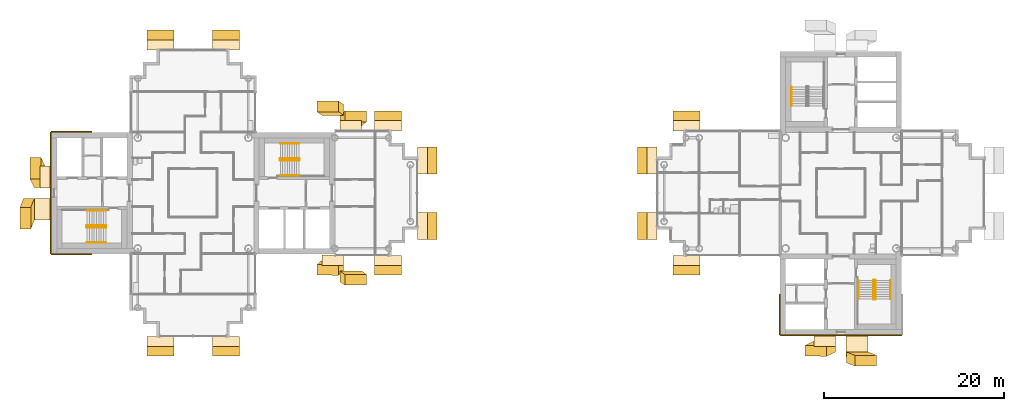
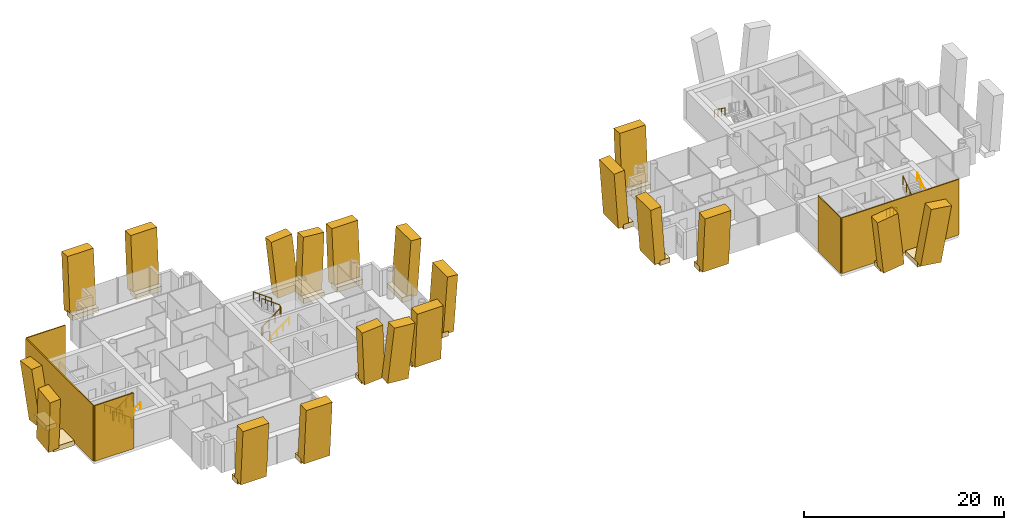
# One storey, part 16 of 18: 43 coverings, 10 railings.
"""IFC4 building model written with IfcOpenShell, lengths in metres."""

from ifc_helpers import new_model, si_unit, direction, frame, origin, origin_2d, place, context, subcontext, project, spatial, rectangle, circle, extrude, material, layer, layer_set, material_profile, profile_set, type_object, element, save


model = new_model("IFC4")

# Units and contexts
model_context = context("Model", 3, precision=1e-05, world=origin(), true_north=direction((0.0, 1.0)))
body_context = subcontext(model_context, "Body", "Model", "MODEL_VIEW")
ifc_project = project(units=[si_unit("LENGTHUNIT", "METRE"), si_unit("AREAUNIT", "SQUARE_METRE"), si_unit("VOLUMEUNIT", "CUBIC_METRE"), si_unit("PLANEANGLEUNIT", "RADIAN"), si_unit("MASSUNIT", "GRAM", prefix="KILO")], contexts=[model_context])

# Site, building, storey
site_placement = place(None, origin())
site = spatial("IfcSite", under=ifc_project, at=site_placement, CompositionType="ELEMENT")
building_placement = place(site_placement, origin())
building = spatial("IfcBuilding", under=site, at=building_placement, Name="Ipe Terrace Towers", CompositionType="ELEMENT")
storey_placement = place(building_placement, frame((0.0, 0.0, 216.39990234375)))
storey = spatial("IfcBuildingStorey", under=building, at=storey_placement, Name="L60", CompositionType="ELEMENT", Elevation=216.39990234375)

# Coverings
ifc_material_1 = material(Name="Concrete C50/60 precast, buff finish", Category="concrete")
ifc_layer = layer(ifc_material_1, 0.1201171875)
ifc_layer_set = layer_set([ifc_layer], Name="STONE CORE CLADDING 120")
covering_type_1 = type_object("IfcCoveringType", Name="STONE CORE CLADDING 120", PredefinedType="CLADDING", material=ifc_layer_set)
covering_1_placement = place(storey_placement, frame((-49.5, -6.81005859375, 0.0), z_axis=(0.0, 0.0, 1.0), x_axis=(1.0, 0.0, 0.0)))
element("IfcCovering", 1, at=covering_1_placement, inside=storey, type_object=covering_type_1, Name="stone core cladding", PredefinedType="CLADDING", context=body_context, shape_type="SweptSolid", body=[
    extrude(rectangle(XDim=4.5, YDim=0.1201171875, at=origin_2d()), origin(), (0.0, 0.0, 1.0), 6.800048828125),
])
covering_2_placement = place(storey_placement, frame((-51.81005859375, 0.0, 0.0), z_axis=(0.0, 0.0, 1.0), x_axis=(0.0, -1.0, 0.0)))
element("IfcCovering", 2, at=covering_2_placement, inside=storey, type_object=covering_type_1, Name="stone core cladding", PredefinedType="CLADDING", context=body_context, shape_type="SweptSolid", body=[
    extrude(rectangle(XDim=13.5, YDim=0.1201171875, at=origin_2d()), origin(), (0.0, 0.0, 1.0), 6.800048828125),
])
covering_3_placement = place(storey_placement, frame((-49.5, 6.81005859375, 0.0), z_axis=(0.0, 0.0, 1.0), x_axis=(-1.0, 0.0, 0.0)))
element("IfcCovering", 3, at=covering_3_placement, inside=storey, type_object=covering_type_1, Name="stone core cladding", PredefinedType="CLADDING", context=body_context, shape_type="SweptSolid", body=[
    extrude(rectangle(XDim=4.5, YDim=0.1201171875, at=origin_2d()), origin(), (0.0, 0.0, 1.0), 6.800048828125),
])
covering_4_placement = place(storey_placement, frame((36.0, -15.81005859375, 0.0), z_axis=(0.0, 0.0, 1.0), x_axis=(1.0, 0.0, 0.0)))
element("IfcCovering", 4, at=covering_4_placement, inside=storey, type_object=covering_type_1, Name="stone core cladding", PredefinedType="CLADDING", context=body_context, shape_type="SweptSolid", body=[
    extrude(rectangle(XDim=13.5, YDim=0.1201171875, at=origin_2d()), origin(), (0.0, 0.0, 1.0), 6.800048828125),
])
covering_5_placement = place(storey_placement, frame((29.18994140625, -13.5, 0.0), z_axis=(0.0, 0.0, 1.0), x_axis=(0.0, -1.0, 0.0)))
element("IfcCovering", 5, at=covering_5_placement, inside=storey, type_object=covering_type_1, Name="stone core cladding", PredefinedType="CLADDING", context=body_context, shape_type="SweptSolid", body=[
    extrude(rectangle(XDim=4.5, YDim=0.1201171875, at=origin_2d()), origin(), (0.0, 0.0, 1.0), 6.800048828125),
])
ifc_material_2 = material(Name="Concrete C50/60 precast, buff finish", Category="concrete")
ifc_material_profile_1 = material_profile(ifc_material_2, rectangle(XDim=2.39990234375, YDim=1.199951171875, at=origin_2d()), Name="STONE FIN 2400 x 1200")
ifc_profile_set_1 = profile_set([ifc_material_profile_1], Name="Concrete C50/60 precast, buff finish")
covering_type_2 = type_object("IfcCoveringType", Name="STONE FIN 2400 x 1200", PredefinedType="USERDEFINED", material=ifc_profile_set_1)
covering_6_placement = place(storey_placement, frame((-18.487060546875, -9.242919921875, 0.0), z_axis=(0.080496231654, -0.056629617031, 0.995144935758), x_axis=(0.99675491305, 0.004573311569, -0.080366212626)))
element("IfcCovering", 6, at=covering_6_placement, inside=storey, type_object=covering_type_2, Name="stone fin", ObjectType="FIN", PredefinedType="USERDEFINED", context=body_context, shape_type="SweptSolid", body=[
    extrude(rectangle(XDim=2.39990234375, YDim=1.199951171875, at=origin_2d()), origin(), (0.0, 0.0, 1.0), 6.833251953125),
])
for number, where, z_axis, x_axis, name in (
    (7, (-18.487060546875, 8.04296875, 0.0), (0.080420925342, 0.071211604997, 0.994213951864), (-0.996760991797, 0.005745512928, 0.080215424415), "stone fin"),
    (8, (-20.462890625, -8.04296875, 0.0), (-0.080420925342, -0.071211604997, 0.994213951864), (0.996760991797, -0.005745512928, 0.080215424415), "stone fin"),
):
    element("IfcCovering", number, at=place(storey_placement, frame(where, z_axis=z_axis, x_axis=x_axis)), inside=storey, type_object=covering_type_2, Name=name, ObjectType="FIN", PredefinedType="USERDEFINED", context=body_context, shape_type="SweptSolid", body=[
        extrude(rectangle(XDim=2.39990234375, YDim=1.199951171875, at=origin_2d()), origin(), (0.0, 0.0, 1.0), 6.839599609375),
    ])
covering_7_placement = place(storey_placement, frame((-20.462890625, 9.242919921875, 0.0), z_axis=(-0.080496231654, 0.056629617031, 0.995144935758), x_axis=(-0.99675491305, -0.004573311569, -0.080366212626)))
element("IfcCovering", 9, at=covering_7_placement, inside=storey, type_object=covering_type_2, Name="stone fin", ObjectType="FIN", PredefinedType="USERDEFINED", context=body_context, shape_type="SweptSolid", body=[
    extrude(rectangle(XDim=2.39990234375, YDim=1.199951171875, at=origin_2d()), origin(), (0.0, 0.0, 1.0), 6.833251953125),
])
covering_8_placement = place(storey_placement, frame((-54.242919921875, -1.787109375, 0.0), z_axis=(-0.056219732465, -0.144255931819, 0.987942087279), x_axis=(0.008195754109, -0.989540411572, -0.144022926924)))
element("IfcCovering", 10, at=covering_8_placement, inside=storey, type_object=covering_type_2, Name="stone fin", ObjectType="FIN", PredefinedType="USERDEFINED", context=body_context, shape_type="SweptSolid", body=[
    extrude(rectangle(XDim=2.39990234375, YDim=1.199951171875, at=origin_2d()), origin(), (0.0, 0.0, 1.0), 6.883056640625),
])
for number, where, z_axis, x_axis, name in (
    (11, (-53.04296875, 1.787109375, 0.0), (-0.070697129678, 0.144122920501, 0.987031154342), (-0.010296575176, -0.989559792931, 0.143754640806), "stone fin"),
    (12, (34.212890625, -17.04296875, 0.0), (-0.144122920501, -0.070697129678, 0.987031154342), (0.989559792931, -0.010296575176, 0.143754640806), "stone fin"),
):
    element("IfcCovering", number, at=place(storey_placement, frame(where, z_axis=z_axis, x_axis=x_axis)), inside=storey, type_object=covering_type_2, Name=name, ObjectType="FIN", PredefinedType="USERDEFINED", context=body_context, shape_type="SweptSolid", body=[
        extrude(rectangle(XDim=2.39990234375, YDim=1.199951171875, at=origin_2d()), origin(), (0.0, 0.0, 1.0), 6.889404296875),
    ])
covering_9_placement = place(storey_placement, frame((37.787109375, -18.242919921875, 0.0), z_axis=(0.144255931819, -0.056219732465, 0.987942087279), x_axis=(0.989540411572, 0.008195754109, -0.144022926924)))
element("IfcCovering", 13, at=covering_9_placement, inside=storey, type_object=covering_type_2, Name="stone fin", ObjectType="FIN", PredefinedType="USERDEFINED", context=body_context, shape_type="SweptSolid", body=[
    extrude(rectangle(XDim=2.39990234375, YDim=1.199951171875, at=origin_2d()), origin(), (0.0, 0.0, 1.0), 6.883056640625),
])
ifc_material_3 = material(Name="Concrete C50/60 precast, buff finish", Category="concrete")
ifc_material_profile_2 = material_profile(ifc_material_3, rectangle(XDim=3.0, YDim=1.199951171875, at=origin_2d()), Name="STONE FIN CORNER 3000 x 1200")
ifc_profile_set_2 = profile_set([ifc_material_profile_2], Name="Concrete C50/60 precast, buff finish")
covering_type_3 = type_object("IfcCoveringType", Name="STONE FIN CORNER 3000 x 1200", PredefinedType="USERDEFINED", material=ifc_profile_set_2)
for number, where, z_axis, x_axis, name in (
    (14, (-9.95703125, -3.64990234375, 0.0), (0.07144300949, 0.0, 0.997444683376), (0.0, 1.0, 0.0), "stone fin"),
    (15, (-9.95703125, 3.64990234375, 0.0), (0.07144300949, 0.0, 0.997444683376), (0.0, 1.0, 0.0), "stone fin"),
    (16, (-14.35009765625, -8.04296875, 0.0), (0.0, -0.07144300949, 0.997444683376), (1.0, 0.0, 0.0), "stone fin"),
    (17, (-14.35009765625, 8.04296875, 0.0), (0.0, 0.07144300949, 0.997444683376), (-1.0, 0.0, 0.0), "stone fin"),
    (18, (-32.35009765625, -17.04296875, 0.0), (0.0, -0.07144300949, 0.997444683376), (1.0, 0.0, 0.0), "stone fin"),
    (19, (-32.35009765625, 17.04296875, 0.0), (0.0, 0.07144300949, 0.997444683376), (-1.0, 0.0, 0.0), "stone fin"),
    (20, (-39.64990234375, -17.04296875, 0.0), (0.0, -0.07144300949, 0.997444683376), (1.0, 0.0, 0.0), "stone fin"),
    (21, (-39.64990234375, 17.04296875, 0.0), (0.0, 0.07144300949, 0.997444683376), (-1.0, 0.0, 0.0), "stone fin"),
    (22, (14.45703125, -3.64990234375, 0.0), (-0.07144300949, 0.0, 0.997444683376), (0.0, -1.0, 0.0), "stone fin"),
    (23, (14.45703125, 3.64990234375, 0.0), (-0.07144300949, 0.0, 0.997444683376), (0.0, -1.0, 0.0), "stone fin"),
    (24, (18.85009765625, -8.04296875, 0.0), (0.0, -0.07144300949, 0.997444683376), (1.0, 0.0, 0.0), "stone fin"),
    (25, (18.85009765625, 8.04296875, 0.0), (0.0, 0.07144300949, 0.997444683376), (-1.0, 0.0, 0.0), "stone fin"),
):
    element("IfcCovering", number, at=place(storey_placement, frame(where, z_axis=z_axis, x_axis=x_axis)), inside=storey, type_object=covering_type_3, Name=name, ObjectType="FIN", PredefinedType="USERDEFINED", context=body_context, shape_type="SweptSolid", body=[
        extrude(rectangle(XDim=3.0, YDim=1.199951171875, at=origin_2d()), origin(), (0.0, 0.0, 1.0), 6.8173828125),
    ])
ifc_material_4 = material(Name="Concrete C50/60 precast, buff finish", Category="concrete")
covering_type_4 = type_object("IfcCoveringType", Name="STONE FIN SHELF 2400 x 600", PredefinedType="CLADDING", material=ifc_material_4)
covering_10_placement = place(storey_placement, frame((-18.487060546875, 7.47900390625, -0.349853515625), z_axis=(0.0, 0.0, 1.0), x_axis=(-1.0, 0.0, 0.0)))
element("IfcCovering", 26, at=covering_10_placement, inside=storey, type_object=covering_type_4, Name="stone fin shelf", PredefinedType="CLADDING", context=body_context, shape_type="SweptSolid", body=[
    extrude(rectangle(XDim=2.39990234375, YDim=1.126953125, at=origin_2d()), origin(), (0.0, 0.0, 1.0), 0.60009765625),
])
covering_11_placement = place(storey_placement, frame((-20.462890625, -7.450927734375, -0.349853515625), z_axis=(0.0, 0.0, 1.0), x_axis=(1.0, 0.0, 0.0)))
element("IfcCovering", 27, at=covering_11_placement, inside=storey, type_object=covering_type_4, Name="stone fin shelf", PredefinedType="CLADDING", context=body_context, shape_type="SweptSolid", body=[
    extrude(rectangle(XDim=2.39990234375, YDim=1.18310546875, at=origin_2d()), origin(), (0.0, 0.0, 1.0), 0.60009765625),
])
covering_12_placement = place(storey_placement, frame((-53.052001953125, -1.787109375, -0.349853515625), z_axis=(0.0, 0.0, 1.0), x_axis=(0.0, -1.0, 0.0)))
element("IfcCovering", 28, at=covering_12_placement, inside=storey, type_object=covering_type_4, Name="stone fin shelf", PredefinedType="CLADDING", context=body_context, shape_type="SweptSolid", body=[
    extrude(rectangle(XDim=2.39990234375, YDim=2.383056640625, at=origin_2d()), origin(), (0.0, 0.0, 1.0), 0.60009765625),
])
for number, where, z_axis, x_axis, name in (
    (29, (-52.451904296875, 1.787109375, -0.349853515625), (0.0, 0.0, 1.0), (0.0, -1.0, 0.0), "stone fin shelf"),
    (30, (34.212890625, -16.450927734375, -0.349853515625), (0.0, 0.0, 1.0), (1.0, 0.0, 0.0), "stone fin shelf"),
):
    element("IfcCovering", number, at=place(storey_placement, frame(where, z_axis=z_axis, x_axis=x_axis)), inside=storey, type_object=covering_type_4, Name=name, PredefinedType="CLADDING", context=body_context, shape_type="SweptSolid", body=[
        extrude(rectangle(XDim=2.39990234375, YDim=1.18310546875, at=origin_2d()), origin(), (0.0, 0.0, 1.0), 0.60009765625),
    ])
covering_13_placement = place(storey_placement, frame((37.787109375, -17.052001953125, -0.349853515625), z_axis=(0.0, 0.0, 1.0), x_axis=(1.0, 0.0, 0.0)))
element("IfcCovering", 31, at=covering_13_placement, inside=storey, type_object=covering_type_4, Name="stone fin shelf", PredefinedType="CLADDING", context=body_context, shape_type="SweptSolid", body=[
    extrude(rectangle(XDim=2.39990234375, YDim=2.383056640625, at=origin_2d()), origin(), (0.0, 0.0, 1.0), 0.60009765625),
])
ifc_material_5 = material(Name="Concrete C50/60 precast, buff finish", Category="concrete")
covering_type_5 = type_object("IfcCoveringType", Name="STONE FIN SHELF 3000 x 600", PredefinedType="CLADDING", material=ifc_material_5)
for number, where, z_axis, x_axis, name in (
    (32, (-10.52099609375, -3.64990234375, -0.349853515625), (0.0, 0.0, 1.0), (0.0, 1.0, 0.0), "stone fin shelf"),
    (33, (-10.52099609375, 3.64990234375, -0.349853515625), (0.0, 0.0, 1.0), (0.0, 1.0, 0.0), "stone fin shelf"),
    (34, (-14.35009765625, -7.47900390625, -0.349853515625), (0.0, 0.0, 1.0), (1.0, 0.0, 0.0), "stone fin shelf"),
    (35, (-14.35009765625, 7.47900390625, -0.349853515625), (0.0, 0.0, 1.0), (-1.0, 0.0, 0.0), "stone fin shelf"),
    (36, (-32.35009765625, -16.47900390625, -0.349853515625), (0.0, 0.0, 1.0), (1.0, 0.0, 0.0), "stone fin shelf"),
    (37, (-32.35009765625, 16.47900390625, -0.349853515625), (0.0, 0.0, 1.0), (-1.0, 0.0, 0.0), "stone fin shelf"),
    (38, (-39.64990234375, -16.47900390625, -0.349853515625), (0.0, 0.0, 1.0), (1.0, 0.0, 0.0), "stone fin shelf"),
    (39, (-39.64990234375, 16.47900390625, -0.349853515625), (0.0, 0.0, 1.0), (-1.0, 0.0, 0.0), "stone fin shelf"),
    (40, (15.02099609375, -3.64990234375, -0.349853515625), (0.0, 0.0, 1.0), (0.0, -1.0, 0.0), "stone fin shelf"),
    (41, (15.02099609375, 3.64990234375, -0.349853515625), (0.0, 0.0, 1.0), (0.0, -1.0, 0.0), "stone fin shelf"),
    (42, (18.85009765625, -7.47900390625, -0.349853515625), (0.0, 0.0, 1.0), (1.0, 0.0, 0.0), "stone fin shelf"),
    (43, (18.85009765625, 7.47900390625, -0.349853515625), (0.0, 0.0, 1.0), (-1.0, 0.0, 0.0), "stone fin shelf"),
):
    element("IfcCovering", number, at=place(storey_placement, frame(where, z_axis=z_axis, x_axis=x_axis)), inside=storey, type_object=covering_type_5, Name=name, PredefinedType="CLADDING", context=body_context, shape_type="SweptSolid", body=[
        extrude(rectangle(XDim=3.0, YDim=1.126953125, at=origin_2d()), origin(), (0.0, 0.0, 1.0), 0.60009765625),
    ])

# Railings
ifc_material_6 = material(Name="Steel S355", Category="steel")
railing_type_1 = type_object("IfcRailingType", Name="Stair guard 1100", PredefinedType="GUARDRAIL", material=ifc_material_6)
railing_1_placement = place(storey_placement, frame((-26.35009765625, 3.800048828125, 0.0)))
element("IfcRailing", 44, at=railing_1_placement, inside=storey, type_object=railing_type_1, Name="L60 T1-ST1 stair guard 1", PredefinedType="GUARDRAIL", context=body_context, shape_type="SweptSolid", body=[
    extrude(circle(Radius=0.02392578125, at=origin_2d()), frame((0.0, 0.0, 1.076171875), z_axis=(0.0, -1.0, 0.0), x_axis=(1.0, 0.0, 0.0)), (0.0, 0.0, 1.0), 0.150146484375),
    extrude(circle(Radius=0.02392578125, at=origin_2d()), frame((0.0, -0.150146484375, 1.076171875), z_axis=(0.248103849378, -0.246893586699, 0.936743314239), x_axis=(0.705375805398, 0.708833529934, 0.0)), (0.0, 0.0, 1.0), 0.20166015625),
    extrude(circle(Radius=0.02392578125, at=origin_2d()), frame((0.050048828125, -0.199951171875, 1.26513671875), z_axis=(0.809023421508, 0.0, 0.587776406001), x_axis=(0.0, 1.0, 0.0)), (0.0, 0.0, 1.0), 2.571044921875),
    extrude(circle(Radius=0.02392578125, at=origin_2d()), frame((2.130126953125, -0.199951171875, 2.7763671875), z_axis=(0.708833529934, 0.705375805398, 0.0), x_axis=(-0.705375805398, 0.708833529934, 0.0)), (0.0, 0.0, 1.0), 0.070556640625),
    extrude(circle(Radius=0.02392578125, at=origin_2d()), frame((2.18017578125, -0.150146484375, 2.7763671875), z_axis=(0.0, 1.0, 0.0), x_axis=(-1.0, 0.0, 0.0)), (0.0, 0.0, 1.0), 0.150146484375),
    extrude(circle(Radius=0.02392578125, at=origin_2d()), frame((2.18017578125, 0.0, 2.7763671875), z_axis=(-0.248310886586, 0.248310886586, 0.936313733321), x_axis=(-0.707106781187, -0.707106781187, 0.0)), (0.0, 0.0, 1.0), 0.20166015625),
    extrude(circle(Radius=0.02392578125, at=origin_2d()), frame((2.130126953125, 0.050048828125, 2.96484375), z_axis=(-0.809023421508, 0.0, 0.587776406001), x_axis=(0.0, -1.0, 0.0)), (0.0, 0.0, 1.0), 2.571044921875),
    extrude(circle(Radius=0.02099609375, at=origin_2d()), origin(), (0.0, 0.0, 1.0), 1.052001953125),
    extrude(circle(Radius=0.02099609375, at=origin_2d()), frame((0.0, -0.150146484375, 0.0)), (0.0, 0.0, 1.0), 1.052001953125),
    extrude(circle(Radius=0.02099609375, at=origin_2d()), frame((0.050048828125, -0.199951171875, 0.18896484375)), (0.0, 0.0, 1.0), 1.052001953125),
    extrude(circle(Radius=0.02099609375, at=origin_2d()), frame((0.743408203125, -0.199951171875, 0.692626953125)), (0.0, 0.0, 1.0), 1.052001953125),
    extrude(circle(Radius=0.02099609375, at=origin_2d()), frame((1.436767578125, -0.199951171875, 1.196533203125)), (0.0, 0.0, 1.0), 1.052001953125),
    extrude(circle(Radius=0.02099609375, at=origin_2d()), frame((2.130126953125, -0.199951171875, 1.7001953125)), (0.0, 0.0, 1.0), 1.052001953125),
    extrude(circle(Radius=0.02099609375, at=origin_2d()), frame((2.18017578125, -0.150146484375, 1.7001953125)), (0.0, 0.0, 1.0), 1.052001953125),
    extrude(circle(Radius=0.02099609375, at=origin_2d()), frame((2.18017578125, 0.0, 1.7001953125)), (0.0, 0.0, 1.0), 1.052001953125),
    extrude(circle(Radius=0.02099609375, at=origin_2d()), frame((2.130126953125, 0.050048828125, 1.888916015625)), (0.0, 0.0, 1.0), 1.052001953125),
    extrude(circle(Radius=0.02099609375, at=origin_2d()), frame((1.436767578125, 0.050048828125, 2.392578125)), (0.0, 0.0, 1.0), 1.052001953125),
    extrude(circle(Radius=0.02099609375, at=origin_2d()), frame((0.743408203125, 0.050048828125, 2.896484375)), (0.0, 0.0, 1.0), 1.052001953125),
    extrude(circle(Radius=0.02099609375, at=origin_2d()), frame((0.050048828125, 0.050048828125, 3.400146484375)), (0.0, 0.0, 1.0), 1.052001953125),
])
railing_2_placement = place(storey_placement, frame((-45.64990234375, -3.800048828125, 0.0)))
element("IfcRailing", 45, at=railing_2_placement, inside=storey, type_object=railing_type_1, Name="L60 T1-ST2 stair guard 1", PredefinedType="GUARDRAIL", context=body_context, shape_type="SweptSolid", body=[
    extrude(circle(Radius=0.02392578125, at=origin_2d()), frame((0.0, 0.0, 1.076171875), z_axis=(0.0, 1.0, 0.0), x_axis=(-1.0, 0.0, 0.0)), (0.0, 0.0, 1.0), 0.150146484375),
    extrude(circle(Radius=0.02392578125, at=origin_2d()), frame((0.0, 0.150146484375, 1.076171875), z_axis=(-0.248103849378, 0.246893586699, 0.936743314239), x_axis=(-0.705375805398, -0.708833529934, 0.0)), (0.0, 0.0, 1.0), 0.20166015625),
    extrude(circle(Radius=0.02392578125, at=origin_2d()), frame((-0.050048828125, 0.199951171875, 1.26513671875), z_axis=(-0.809023421508, 0.0, 0.587776406001), x_axis=(0.0, -1.0, 0.0)), (0.0, 0.0, 1.0), 2.571044921875),
    extrude(circle(Radius=0.02392578125, at=origin_2d()), frame((-2.130126953125, 0.199951171875, 2.7763671875), z_axis=(-0.708833529934, -0.705375805398, 0.0), x_axis=(0.705375805398, -0.708833529934, 0.0)), (0.0, 0.0, 1.0), 0.070556640625),
    extrude(circle(Radius=0.02392578125, at=origin_2d()), frame((-2.18017578125, 0.150146484375, 2.7763671875), z_axis=(0.0, -1.0, 0.0), x_axis=(1.0, 0.0, 0.0)), (0.0, 0.0, 1.0), 0.150146484375),
    extrude(circle(Radius=0.02392578125, at=origin_2d()), frame((-2.18017578125, 0.0, 2.7763671875), z_axis=(0.248310886586, -0.248310886586, 0.936313733321), x_axis=(0.707106781187, 0.707106781187, 0.0)), (0.0, 0.0, 1.0), 0.20166015625),
    extrude(circle(Radius=0.02392578125, at=origin_2d()), frame((-2.130126953125, -0.050048828125, 2.96484375), z_axis=(0.809023421508, 0.0, 0.587776406001), x_axis=(0.0, 1.0, 0.0)), (0.0, 0.0, 1.0), 2.571044921875),
    extrude(circle(Radius=0.02099609375, at=origin_2d()), origin(), (0.0, 0.0, 1.0), 1.052001953125),
    extrude(circle(Radius=0.02099609375, at=origin_2d()), frame((0.0, 0.150146484375, 0.0)), (0.0, 0.0, 1.0), 1.052001953125),
    extrude(circle(Radius=0.02099609375, at=origin_2d()), frame((-0.050048828125, 0.199951171875, 0.18896484375)), (0.0, 0.0, 1.0), 1.052001953125),
    extrude(circle(Radius=0.02099609375, at=origin_2d()), frame((-0.743408203125, 0.199951171875, 0.692626953125)), (0.0, 0.0, 1.0), 1.052001953125),
    extrude(circle(Radius=0.02099609375, at=origin_2d()), frame((-1.436767578125, 0.199951171875, 1.196533203125)), (0.0, 0.0, 1.0), 1.052001953125),
    extrude(circle(Radius=0.02099609375, at=origin_2d()), frame((-2.130126953125, 0.199951171875, 1.7001953125)), (0.0, 0.0, 1.0), 1.052001953125),
    extrude(circle(Radius=0.02099609375, at=origin_2d()), frame((-2.18017578125, 0.150146484375, 1.7001953125)), (0.0, 0.0, 1.0), 1.052001953125),
    extrude(circle(Radius=0.02099609375, at=origin_2d()), frame((-2.18017578125, 0.0, 1.7001953125)), (0.0, 0.0, 1.0), 1.052001953125),
    extrude(circle(Radius=0.02099609375, at=origin_2d()), frame((-2.130126953125, -0.050048828125, 1.888916015625)), (0.0, 0.0, 1.0), 1.052001953125),
    extrude(circle(Radius=0.02099609375, at=origin_2d()), frame((-1.436767578125, -0.050048828125, 2.392578125)), (0.0, 0.0, 1.0), 1.052001953125),
    extrude(circle(Radius=0.02099609375, at=origin_2d()), frame((-0.743408203125, -0.050048828125, 2.896484375)), (0.0, 0.0, 1.0), 1.052001953125),
    extrude(circle(Radius=0.02099609375, at=origin_2d()), frame((-0.050048828125, -0.050048828125, 3.400146484375)), (0.0, 0.0, 1.0), 1.052001953125),
])
railing_3_placement = place(storey_placement, frame((39.800048828125, -9.64990234375, 0.0)))
element("IfcRailing", 46, at=railing_3_placement, inside=storey, type_object=railing_type_1, Name="L60 T2-ST2 stair guard 1", PredefinedType="GUARDRAIL", context=body_context, shape_type="SweptSolid", body=[
    extrude(circle(Radius=0.02392578125, at=origin_2d()), frame((0.0, 0.0, 1.076171875), z_axis=(-1.0, 0.0, 0.0), x_axis=(0.0, -1.0, 0.0)), (0.0, 0.0, 1.0), 0.150146484375),
    extrude(circle(Radius=0.02392578125, at=origin_2d()), frame((-0.150146484375, 0.0, 1.076171875), z_axis=(-0.246893586699, -0.248103849378, 0.936743314239), x_axis=(0.708833529934, -0.705375805398, 0.0)), (0.0, 0.0, 1.0), 0.20166015625),
    extrude(circle(Radius=0.02392578125, at=origin_2d()), frame((-0.199951171875, -0.050048828125, 1.26513671875), z_axis=(0.0, -0.809023421508, 0.587776406001), x_axis=(1.0, 0.0, 0.0)), (0.0, 0.0, 1.0), 2.571044921875),
    extrude(circle(Radius=0.02392578125, at=origin_2d()), frame((-0.199951171875, -2.130126953125, 2.7763671875), z_axis=(0.705375805398, -0.708833529934, 0.0), x_axis=(0.708833529934, 0.705375805398, 0.0)), (0.0, 0.0, 1.0), 0.070556640625),
    extrude(circle(Radius=0.02392578125, at=origin_2d()), frame((-0.150146484375, -2.18017578125, 2.7763671875), z_axis=(1.0, 0.0, 0.0), x_axis=(0.0, 1.0, 0.0)), (0.0, 0.0, 1.0), 0.150146484375),
    extrude(circle(Radius=0.02392578125, at=origin_2d()), frame((0.0, -2.18017578125, 2.7763671875), z_axis=(0.248310886586, 0.248310886586, 0.936313733321), x_axis=(-0.707106781187, 0.707106781187, 0.0)), (0.0, 0.0, 1.0), 0.20166015625),
    extrude(circle(Radius=0.02392578125, at=origin_2d()), frame((0.050048828125, -2.130126953125, 2.96484375), z_axis=(0.0, 0.809023421508, 0.587776406001), x_axis=(-1.0, 0.0, 0.0)), (0.0, 0.0, 1.0), 2.571044921875),
    extrude(circle(Radius=0.02099609375, at=origin_2d()), origin(), (0.0, 0.0, 1.0), 1.052001953125),
    extrude(circle(Radius=0.02099609375, at=origin_2d()), frame((-0.150146484375, 0.0, 0.0)), (0.0, 0.0, 1.0), 1.052001953125),
    extrude(circle(Radius=0.02099609375, at=origin_2d()), frame((-0.199951171875, -0.050048828125, 0.18896484375)), (0.0, 0.0, 1.0), 1.052001953125),
    extrude(circle(Radius=0.02099609375, at=origin_2d()), frame((-0.199951171875, -0.743408203125, 0.692626953125)), (0.0, 0.0, 1.0), 1.052001953125),
    extrude(circle(Radius=0.02099609375, at=origin_2d()), frame((-0.199951171875, -1.436767578125, 1.196533203125)), (0.0, 0.0, 1.0), 1.052001953125),
    extrude(circle(Radius=0.02099609375, at=origin_2d()), frame((-0.199951171875, -2.130126953125, 1.7001953125)), (0.0, 0.0, 1.0), 1.052001953125),
    extrude(circle(Radius=0.02099609375, at=origin_2d()), frame((-0.150146484375, -2.18017578125, 1.7001953125)), (0.0, 0.0, 1.0), 1.052001953125),
    extrude(circle(Radius=0.02099609375, at=origin_2d()), frame((0.0, -2.18017578125, 1.7001953125)), (0.0, 0.0, 1.0), 1.052001953125),
    extrude(circle(Radius=0.02099609375, at=origin_2d()), frame((0.050048828125, -2.130126953125, 1.888916015625)), (0.0, 0.0, 1.0), 1.052001953125),
    extrude(circle(Radius=0.02099609375, at=origin_2d()), frame((0.050048828125, -1.436767578125, 2.392578125)), (0.0, 0.0, 1.0), 1.052001953125),
    extrude(circle(Radius=0.02099609375, at=origin_2d()), frame((0.050048828125, -0.743408203125, 2.896484375)), (0.0, 0.0, 1.0), 1.052001953125),
    extrude(circle(Radius=0.02099609375, at=origin_2d()), frame((0.050048828125, -0.050048828125, 3.400146484375)), (0.0, 0.0, 1.0), 1.052001953125),
])
ifc_material_7 = material(Name="Stainless steel grade 304", Category="steel")
railing_type_2 = type_object("IfcRailingType", Name="Stair handrail 900", PredefinedType="HANDRAIL", material=ifc_material_7)
railing_4_placement = place(storey_placement, frame((-26.300048828125, 1.949951171875, 0.18896484375)))
element("IfcRailing", 47, at=railing_4_placement, inside=storey, type_object=railing_type_2, Name="L60 T1-ST1 stair handrail 1", PredefinedType="HANDRAIL", context=body_context, shape_type="SweptSolid", body=[
    extrude(circle(Radius=0.02392578125, at=origin_2d()), frame((0.0, 0.0, 0.8759765625), z_axis=(0.809023421508, 0.0, 0.587776406001), x_axis=(0.0, 1.0, 0.0)), (0.0, 0.0, 1.0), 2.571044921875),
    extrude(circle(Radius=0.02099609375, at=origin_2d()), origin(), (0.0, 0.0, 1.0), 0.851806640625),
    extrude(circle(Radius=0.02099609375, at=origin_2d()), frame((0.693359375, 0.0, 0.503662109375)), (0.0, 0.0, 1.0), 0.851806640625),
    extrude(circle(Radius=0.02099609375, at=origin_2d()), frame((1.38671875, 0.0, 1.007568359375)), (0.0, 0.0, 1.0), 0.851806640625),
    extrude(circle(Radius=0.02099609375, at=origin_2d()), frame((2.080078125, 0.0, 1.51123046875)), (0.0, 0.0, 1.0), 0.851806640625),
])
for number, where, name in (
    (48, (-24.219970703125, 5.5, 1.888916015625), "L60 T1-ST1 stair handrail 2"),
    (49, (-45.699951171875, -1.949951171875, 0.18896484375), "L60 T1-ST2 stair handrail 1"),
):
    element("IfcRailing", number, at=place(storey_placement, frame(where)), inside=storey, type_object=railing_type_2, Name=name, PredefinedType="HANDRAIL", context=body_context, shape_type="SweptSolid", body=[
        extrude(circle(Radius=0.02392578125, at=origin_2d()), frame((0.0, 0.0, 0.8759765625), z_axis=(-0.809023421508, 0.0, 0.587776406001), x_axis=(0.0, -1.0, 0.0)), (0.0, 0.0, 1.0), 2.571044921875),
        extrude(circle(Radius=0.02099609375, at=origin_2d()), origin(), (0.0, 0.0, 1.0), 0.851806640625),
        extrude(circle(Radius=0.02099609375, at=origin_2d()), frame((-0.693359375, 0.0, 0.503662109375)), (0.0, 0.0, 1.0), 0.851806640625),
        extrude(circle(Radius=0.02099609375, at=origin_2d()), frame((-1.38671875, 0.0, 1.007568359375)), (0.0, 0.0, 1.0), 0.851806640625),
        extrude(circle(Radius=0.02099609375, at=origin_2d()), frame((-2.080078125, 0.0, 1.51123046875)), (0.0, 0.0, 1.0), 0.851806640625),
    ])
railing_5_placement = place(storey_placement, frame((-47.780029296875, -5.5, 1.888916015625)))
element("IfcRailing", 50, at=railing_5_placement, inside=storey, type_object=railing_type_2, Name="L60 T1-ST2 stair handrail 2", PredefinedType="HANDRAIL", context=body_context, shape_type="SweptSolid", body=[
    extrude(circle(Radius=0.02392578125, at=origin_2d()), frame((0.0, 0.0, 0.8759765625), z_axis=(0.809023421508, 0.0, 0.587776406001), x_axis=(0.0, 1.0, 0.0)), (0.0, 0.0, 1.0), 2.571044921875),
    extrude(circle(Radius=0.02099609375, at=origin_2d()), origin(), (0.0, 0.0, 1.0), 0.851806640625),
    extrude(circle(Radius=0.02099609375, at=origin_2d()), frame((0.693359375, 0.0, 0.503662109375)), (0.0, 0.0, 1.0), 0.851806640625),
    extrude(circle(Radius=0.02099609375, at=origin_2d()), frame((1.38671875, 0.0, 1.007568359375)), (0.0, 0.0, 1.0), 0.851806640625),
    extrude(circle(Radius=0.02099609375, at=origin_2d()), frame((2.080078125, 0.0, 1.51123046875)), (0.0, 0.0, 1.0), 0.851806640625),
])
for number, where, name in (
    (51, (30.5, 11.780029296875, 1.888916015625), "L60 T2-ST1 stair handrail 2"),
    (52, (37.949951171875, -9.699951171875, 0.18896484375), "L60 T2-ST2 stair handrail 1"),
):
    element("IfcRailing", number, at=place(storey_placement, frame(where)), inside=storey, type_object=railing_type_2, Name=name, PredefinedType="HANDRAIL", context=body_context, shape_type="SweptSolid", body=[
        extrude(circle(Radius=0.02392578125, at=origin_2d()), frame((0.0, 0.0, 0.8759765625), z_axis=(0.0, -0.809023421508, 0.587776406001), x_axis=(1.0, 0.0, 0.0)), (0.0, 0.0, 1.0), 2.571044921875),
        extrude(circle(Radius=0.02099609375, at=origin_2d()), origin(), (0.0, 0.0, 1.0), 0.851806640625),
        extrude(circle(Radius=0.02099609375, at=origin_2d()), frame((0.0, -0.693359375, 0.503662109375)), (0.0, 0.0, 1.0), 0.851806640625),
        extrude(circle(Radius=0.02099609375, at=origin_2d()), frame((0.0, -1.38671875, 1.007568359375)), (0.0, 0.0, 1.0), 0.851806640625),
        extrude(circle(Radius=0.02099609375, at=origin_2d()), frame((0.0, -2.080078125, 1.51123046875)), (0.0, 0.0, 1.0), 0.851806640625),
    ])
railing_6_placement = place(storey_placement, frame((41.5, -11.780029296875, 1.888916015625)))
element("IfcRailing", 53, at=railing_6_placement, inside=storey, type_object=railing_type_2, Name="L60 T2-ST2 stair handrail 2", PredefinedType="HANDRAIL", context=body_context, shape_type="SweptSolid", body=[
    extrude(circle(Radius=0.02392578125, at=origin_2d()), frame((0.0, 0.0, 0.8759765625), z_axis=(0.0, 0.809023421508, 0.587776406001), x_axis=(-1.0, 0.0, 0.0)), (0.0, 0.0, 1.0), 2.571044921875),
    extrude(circle(Radius=0.02099609375, at=origin_2d()), origin(), (0.0, 0.0, 1.0), 0.851806640625),
    extrude(circle(Radius=0.02099609375, at=origin_2d()), frame((0.0, 0.693359375, 0.503662109375)), (0.0, 0.0, 1.0), 0.851806640625),
    extrude(circle(Radius=0.02099609375, at=origin_2d()), frame((0.0, 1.38671875, 1.007568359375)), (0.0, 0.0, 1.0), 0.851806640625),
    extrude(circle(Radius=0.02099609375, at=origin_2d()), frame((0.0, 2.080078125, 1.51123046875)), (0.0, 0.0, 1.0), 0.851806640625),
])

save(model, "model.ifc")
